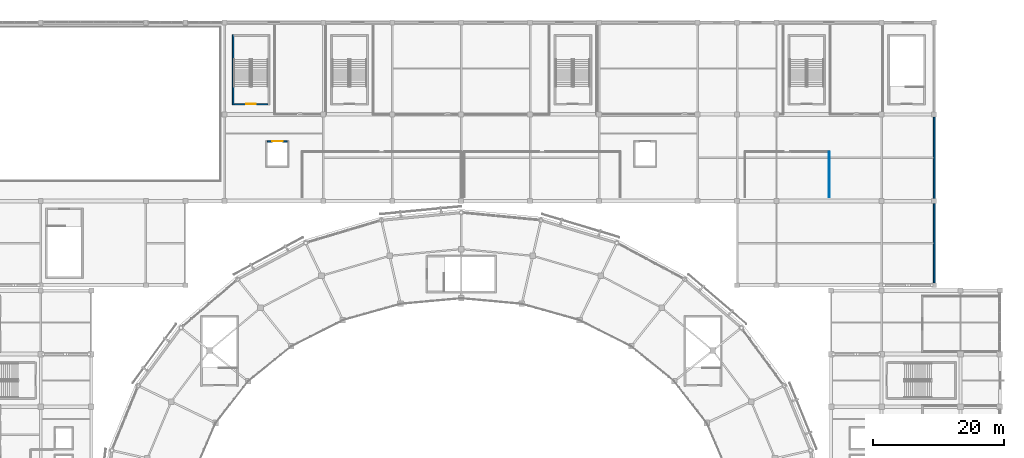
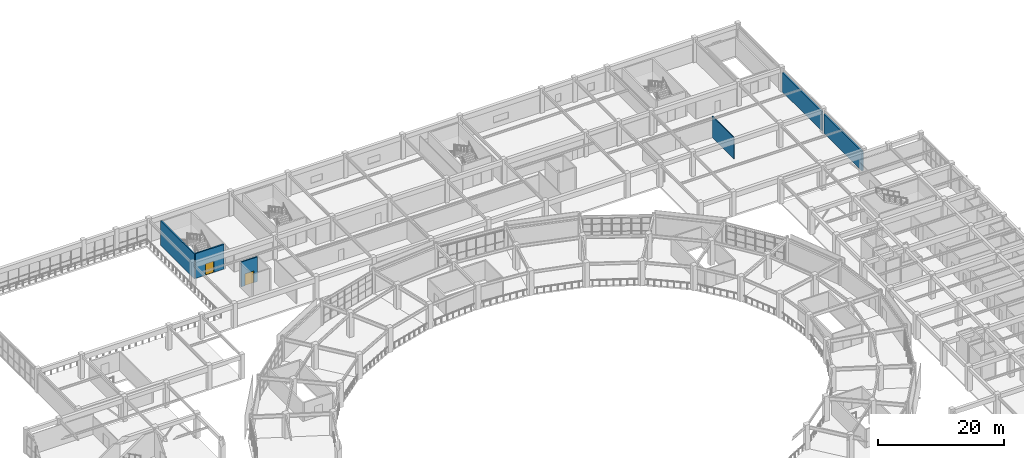
# One storey, part 90 of 112: 6 walls, 2 doors, 2 openings.
"""IFC4 building model written with IfcOpenShell, lengths in metres."""

from ifc_helpers import new_model, si_unit, direction, frame, frame_2d, origin, place, context, subcontext, project, spatial, rectangle, extrude, material, layer, layer_set, type_object, element, fill, save


model = new_model("IFC4")

# Units and contexts
model_context = context("Model", 3, precision=1e-05, world=origin(), true_north=direction((0.0, 1.0)))
body_context = subcontext(model_context, "Body", "Model", "MODEL_VIEW")
ifc_project = project(units=[si_unit("LENGTHUNIT", "METRE"), si_unit("AREAUNIT", "SQUARE_METRE"), si_unit("VOLUMEUNIT", "CUBIC_METRE"), si_unit("PLANEANGLEUNIT", "RADIAN"), si_unit("MASSUNIT", "GRAM", prefix="KILO")], contexts=[model_context])

# Site, building, storey
site_placement = place(None, origin())
site = spatial("IfcSite", under=ifc_project, at=site_placement, CompositionType="ELEMENT")
building_placement = place(site_placement, origin())
building = spatial("IfcBuilding", under=site, at=building_placement, Name="Cuetzalor Civic Arena", CompositionType="ELEMENT")
storey_placement = place(building_placement, frame((0.0, 0.0, 11.39990234375)))
storey = spatial("IfcBuildingStorey", under=building, at=storey_placement, Name="L02", CompositionType="ELEMENT", Elevation=11.39990234375)

# Walls
ifc_material_1 = material(Name="Acoustic steel-stud gypsum partition", Category="steel")
ifc_layer_1 = layer(ifc_material_1, 0.14990234375)
ifc_layer_set_1 = layer_set([ifc_layer_1], Name="Acoustic steel-stud gypsum partition")
wall_type_1 = type_object("IfcWallType", Name="AcousticGypsumPartition_150", PredefinedType="PARTITIONING", material=ifc_layer_set_1)
wall_1_placement = place(storey_placement, frame((56.0, 55.800048828125, 0.0), z_axis=(0.0, 0.0, 1.0), x_axis=(0.0, -1.0, 0.0)))
element("IfcWall", 1, at=wall_1_placement, inside=storey, type_object=wall_type_1, Name="Interior Partition IWALL:L02:0378", PredefinedType="PARTITIONING", context=body_context, shape_type="SweptSolid", body=[
    extrude(rectangle(XDim=6.900146484375, YDim=0.14990234375, at=frame_2d((3.4501953125, 0.0))), origin(), (0.0, 0.0, 1.0), 4.10009765625),
])
ifc_material_2 = material(Name="Standing-seam charcoal zinc insulated wall", Category="steel")
ifc_layer_2 = layer(ifc_material_2, 0.280029296875)
ifc_layer_set_2 = layer_set([ifc_layer_2], Name="Standing-seam charcoal zinc insulated wall")
wall_type_2 = type_object("IfcWallType", Name="AcousticZincCladWall_280", PredefinedType="SOLIDWALL", material=ifc_layer_set_2)
wall_2_placement = place(storey_placement, frame((72.0, 47.943115234375, 0.0), z_axis=(0.0, 0.0, 1.0), x_axis=(0.0, -1.0, 0.0)))
element("IfcWall", 2, at=wall_2_placement, inside=storey, type_object=wall_type_2, Name="North Wing East Basalt Wall L02-246", PredefinedType="SOLIDWALL", context=body_context, shape_type="SweptSolid", body=[
    extrude(rectangle(XDim=12.086181640625, YDim=0.280029296875, at=frame_2d((6.04296875, 0.0))), origin(), (0.0, 0.0, 1.0), 3.72021484375),
])
wall_3_placement = place(storey_placement, frame((72.0, 61.14306640625, 0.0), z_axis=(0.0, 0.0, 1.0), x_axis=(0.0, -1.0, 0.0)))
element("IfcWall", 3, at=wall_3_placement, inside=storey, type_object=wall_type_2, Name="North Wing East Basalt Wall L02-247", PredefinedType="SOLIDWALL", context=body_context, shape_type="SweptSolid", body=[
    extrude(rectangle(XDim=12.486083984375, YDim=0.280029296875, at=frame_2d((6.2431640625, 0.0))), origin(), (0.0, 0.0, 1.0), 3.72021484375),
])
ifc_material_3 = material(Name="Concrete C40/50", Category="concrete")
ifc_layer_3 = layer(ifc_material_3, 0.25)
ifc_layer_set_3 = layer_set([ifc_layer_3], Name="Concrete C40/50")
wall_type_3 = type_object("IfcWallType", Name="ConcreteCoreShearWall_250", PredefinedType="SHEAR", material=ifc_layer_set_3)
wall_4_placement = place(storey_placement, frame((-34.72509765625, 62.949951171875, 0.0), z_axis=(0.0, 0.0, 1.0), x_axis=(0.0, 1.0, 0.0)))
element("IfcWall", 4, at=wall_4_placement, inside=storey, type_object=wall_type_3, Name="Stair Core Shear Wall ST-24-L02-W", PredefinedType="SHEAR", context=body_context, shape_type="SweptSolid", body=[
    extrude(rectangle(XDim=10.699951171875, YDim=0.25, at=frame_2d((5.35009765625, 0.0))), origin(), (0.0, 0.0, 1.0), 4.800048828125),
])

# Wall, opening, door
wall_5_placement = place(storey_placement, frame((-29.39990234375, 63.074951171875, 0.0), z_axis=(0.0, 0.0, 1.0), x_axis=(-1.0, 0.0, 0.0)))
wall_5 = element("IfcWall", 5, at=wall_5_placement, inside=storey, type_object=wall_type_3, Name="Stair Core Shear Wall ST-24-L02-S", PredefinedType="SHEAR", context=body_context, shape_type="SweptSolid", body=[
    extrude(rectangle(XDim=5.2001953125, YDim=0.25, at=frame_2d((2.60009765625, 0.0))), origin(), (0.0, 0.0, 1.0), 4.800048828125),
])
opening_1_placement = place(wall_5_placement, frame((1.85009765625, 0.0, 0.0)))
opening_1 = element("IfcOpeningElement", 6, at=opening_1_placement, cuts=wall_5, Name="Opening FD-03", PredefinedType="OPENING", context=body_context, shape_type="SweptSolid", body=[
    extrude(rectangle(XDim=1.5, YDim=2.199951171875, at=frame_2d((0.75, 1.10009765625))), frame((0.0, 0.135009765625, 0.0), z_axis=(0.0, -1.0, 0.0), x_axis=(1.0, 0.0, 0.0)), (0.0, 0.0, 1.0), 0.27001953125),
])
ifc_material_4 = material(Name="Fire-rated steel stair exit double door", Category="steel")
door_type_1 = type_object("IfcDoorType", Name="StairFireDoubleDoor_1500x2200", OperationType="DOUBLE_DOOR_SINGLE_SWING", PredefinedType="DOOR", material=ifc_material_4)
door_1_placement = place(opening_1_placement, origin())
door_1 = element("IfcDoor", 7, at=door_1_placement, inside=storey, type_object=door_type_1, Name="Fire Stair Door ST-24 L02", OperationType="DOUBLE_DOOR_SINGLE_SWING", OverallHeight=2.199951171875, OverallWidth=1.5, PredefinedType="DOOR", context=body_context, shape_type="SweptSolid", body=[
    extrude(rectangle(XDim=1.5, YDim=2.199951171875, at=frame_2d((0.75, 1.10009765625))), frame((0.0, 0.02490234375, 0.0), z_axis=(0.0, -1.0, 0.0), x_axis=(1.0, 0.0, 0.0)), (0.0, 0.0, 1.0), 0.050048828125),
])
fill(opening_1, door_1)

ifc_material_5 = material(Name="Concrete C40/50", Category="concrete")
ifc_layer_4 = layer(ifc_material_5, 0.219970703125)
ifc_layer_set_4 = layer_set([ifc_layer_4], Name="Concrete C40/50")
wall_type_4 = type_object("IfcWallType", Name="LiftShaftShearWall_220", PredefinedType="SHEAR", material=ifc_layer_set_4)
wall_6_placement = place(storey_placement, frame((-29.5, 57.409912109375, 0.0), z_axis=(0.0, 0.0, 1.0), x_axis=(1.0, 0.0, 0.0)))
wall_6 = element("IfcWall", 8, at=wall_6_placement, inside=storey, type_object=wall_type_4, Name="Lift Shaft Wall LS-01-L02-N", PredefinedType="SHEAR", context=body_context, shape_type="SweptSolid", body=[
    extrude(rectangle(XDim=3.0, YDim=0.219970703125, at=frame_2d((1.5, 0.0))), origin(), (0.0, 0.0, 1.0), 4.800048828125),
])
opening_2_placement = place(wall_6_placement, frame((0.699951171875, 0.0, 0.0)))
opening_2 = element("IfcOpeningElement", 9, at=opening_2_placement, cuts=wall_6, Name="Opening LD-03", PredefinedType="OPENING", context=body_context, shape_type="SweptSolid", body=[
    extrude(rectangle(XDim=1.60009765625, YDim=2.300048828125, at=frame_2d((0.800048828125, 1.14990234375))), frame((0.0, 0.1201171875, 0.0), z_axis=(0.0, -1.0, 0.0), x_axis=(1.0, 0.0, 0.0)), (0.0, 0.0, 1.0), 0.239990234375),
])
ifc_material_6 = material(Name="Heavy freight stainless steel sliding lift landing door", Category="steel")
door_type_2 = type_object("IfcDoorType", Name="LiftLandingSlidingDoor_1600x2300", OperationType="SLIDING_TO_LEFT", PredefinedType="DOOR", material=ifc_material_6)
door_2_placement = place(opening_2_placement, origin())
door_2 = element("IfcDoor", 10, at=door_2_placement, inside=storey, type_object=door_type_2, Name="Lift Landing Sliding Door LS-01 L02", OperationType="SLIDING_TO_LEFT", OverallHeight=2.300048828125, OverallWidth=1.60009765625, PredefinedType="DOOR", context=body_context, shape_type="SweptSolid", body=[
    extrude(rectangle(XDim=1.60009765625, YDim=2.300048828125, at=frame_2d((0.800048828125, 1.14990234375))), frame((0.0, 0.02490234375, 0.0), z_axis=(0.0, -1.0, 0.0), x_axis=(1.0, 0.0, 0.0)), (0.0, 0.0, 1.0), 0.050048828125),
])
fill(opening_2, door_2)

save(model, "model.ifc")
